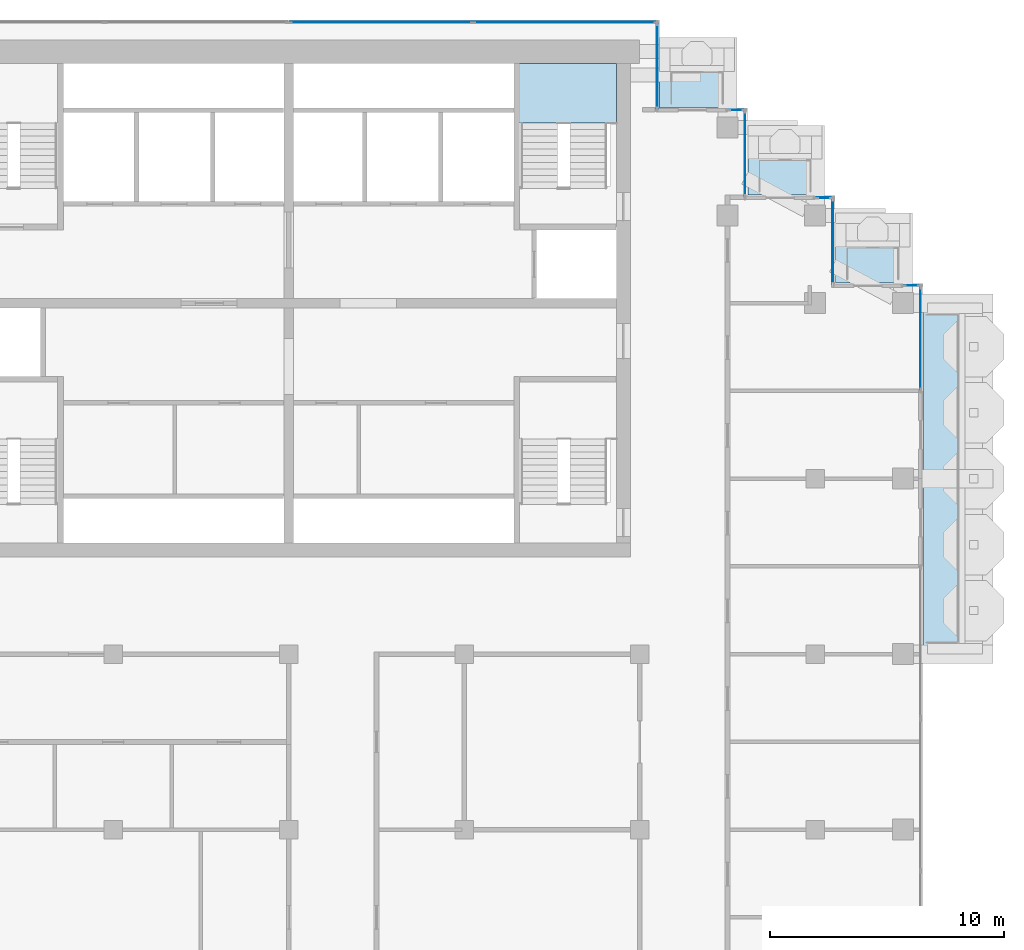
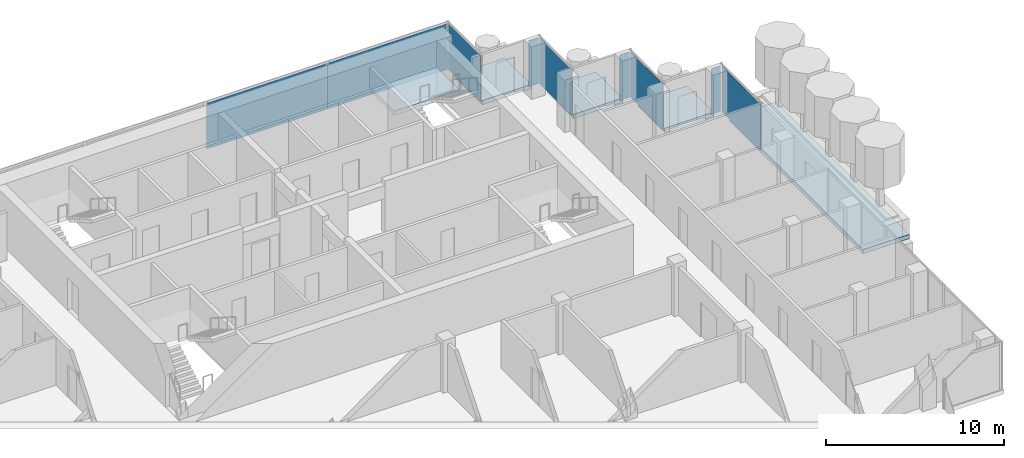
# One storey, part 10 of 19: 9 plates, 5 slabs, 9 elements without a shape of their own.
"""IFC4 building model written with IfcOpenShell, lengths in metres."""

from ifc_helpers import new_model, si_unit, direction, frame, origin, origin_2d, place, context, subcontext, project, spatial, polyline, rectangle, outline, extrude, material, layer, layer_set, type_object, element, aggregate, save


model = new_model("IFC4")

# Units and contexts
model_context = context("Model", 3, precision=1e-05, world=origin(), true_north=direction((0.0, 1.0)))
body_context = subcontext(model_context, "Body", "Model", "MODEL_VIEW")
ifc_project = project(units=[si_unit("LENGTHUNIT", "METRE"), si_unit("AREAUNIT", "SQUARE_METRE"), si_unit("VOLUMEUNIT", "CUBIC_METRE"), si_unit("PLANEANGLEUNIT", "RADIAN"), si_unit("MASSUNIT", "GRAM", prefix="KILO")], contexts=[model_context])

# Site, building, storey
site_placement = place(None, origin())
site = spatial("IfcSite", under=ifc_project, at=site_placement, CompositionType="ELEMENT")
building_placement = place(site_placement, origin())
building = spatial("IfcBuilding", under=site, at=building_placement, Name="Pilkhan Gate Tower", CompositionType="ELEMENT")
storey_placement = place(building_placement, frame((0.0, 0.0, 246.300048828125)))
storey = spatial("IfcBuildingStorey", under=building, at=storey_placement, Name="L64", CompositionType="ELEMENT", Elevation=246.300048828125)

# Slabs
ifc_material_1 = material(Name="Concrete C60/75", Category="concrete")
ifc_layer_1 = layer(ifc_material_1, 0.300048828125)
ifc_layer_set_1 = layer_set([ifc_layer_1], Name="Balcony tray slab TR300")
slab_type_1 = type_object("IfcSlabType", Name="Balcony tray slab TR300", PredefinedType="FLOOR", material=ifc_layer_set_1)
slab_1_placement = place(storey_placement, frame((0.0, 0.0, -0.300048828125)))
element("IfcSlab", 1, at=slab_1_placement, inside=storey, type_object=slab_type_1, Name="Balcony tray L64 E", PredefinedType="FLOOR", context=body_context, shape_type="SweptSolid", body=[
    extrude(outline(polyline([(105.10009765625, 67.5), (105.10009765625, 82.5), (102.10009765625, 82.5), (102.10009765625, 67.5), (105.10009765625, 67.5)])), origin(), (0.0, 0.0, 1.0), 0.300048828125),
])
slab_2_placement = place(storey_placement, frame((0.0, 0.0, -0.300048828125)))
element("IfcSlab", 2, at=slab_2_placement, inside=storey, type_object=slab_type_1, Name="Balcony tray L64 N", PredefinedType="FLOOR", context=body_context, shape_type="SweptSolid", body=[
    extrude(outline(polyline([(94.050048828125, 90.85009765625), (94.050048828125, 93.85009765625), (90.85009765625, 93.85009765625), (90.85009765625, 90.85009765625), (94.050048828125, 90.85009765625)])), origin(), (0.0, 0.0, 1.0), 0.300048828125),
])
slab_3_placement = place(storey_placement, frame((0.0, 0.0, -0.300048828125)))
element("IfcSlab", 3, at=slab_3_placement, inside=storey, type_object=slab_type_1, Name="Balcony tray L64 N", PredefinedType="FLOOR", context=body_context, shape_type="SweptSolid", body=[
    extrude(outline(polyline([(97.800048828125, 87.1201171875), (97.800048828125, 90.10009765625), (94.6201171875, 90.10009765625), (94.6201171875, 87.1201171875), (97.800048828125, 87.1201171875)])), origin(), (0.0, 0.0, 1.0), 0.300048828125),
])
slab_4_placement = place(storey_placement, frame((0.0, 0.0, -0.300048828125)))
element("IfcSlab", 4, at=slab_4_placement, inside=storey, type_object=slab_type_1, Name="Balcony tray L64 N", PredefinedType="FLOOR", context=body_context, shape_type="SweptSolid", body=[
    extrude(outline(polyline([(101.550048828125, 83.3701171875), (101.550048828125, 86.35009765625), (98.3701171875, 86.35009765625), (98.3701171875, 83.3701171875), (101.550048828125, 83.3701171875)])), origin(), (0.0, 0.0, 1.0), 0.300048828125),
])

# Curtain wall, plate
ifc_material_2 = material(Name="Pale anodised aluminium, clear low-iron double glazing", Category="aluminium")
curtain_wall_type = type_object("IfcCurtainWallType", Name="Office unitised curtain wall CW-O2", PredefinedType="USERDEFINED", material=ifc_material_2)
curtain_wall_1_placement = place(storey_placement, origin())
curtain_wall_1 = element("IfcCurtainWall", 5, at=curtain_wall_1_placement, inside=storey, type_object=curtain_wall_type, Name="Office unitised curtain wall CW-O2 L64 E", ObjectType="UNITISED CURTAIN WALL", PredefinedType="USERDEFINED")
ifc_material_3 = material(Name="Clear low-iron double glazing", Category="glass")
ifc_layer_2 = layer(ifc_material_3, 0.031982421875)
ifc_layer_set_2 = layer_set([ifc_layer_2], Name="Glass panel CW-O2 32")
plate_type = type_object("IfcPlateType", Name="Glass panel CW-O2 32", PredefinedType="CURTAIN_PANEL", material=ifc_layer_set_2)
plate_1_placement = place(storey_placement, frame((102.0, 81.0, 0.0), z_axis=(0.0, 0.0, 1.0), x_axis=(0.0, 1.0, 0.0)))
plate_1 = element("IfcPlate", 6, at=plate_1_placement, type_object=plate_type, Name="CW-O2 panel 1", PredefinedType="CURTAIN_PANEL", context=body_context, shape_type="SweptSolid", body=[
    extrude(rectangle(XDim=4.3701171875, YDim=0.031982421875, at=origin_2d()), origin(), (0.0, 0.0, 1.0), 3.135009765625),
])
aggregate(curtain_wall_1, [plate_1])

curtain_wall_2_placement = place(storey_placement, origin())
curtain_wall_2 = element("IfcCurtainWall", 7, at=curtain_wall_2_placement, inside=storey, type_object=curtain_wall_type, Name="Office unitised curtain wall CW-O2 L64 N", ObjectType="UNITISED CURTAIN WALL", PredefinedType="USERDEFINED")
plate_2_placement = place(storey_placement, frame((101.625, 83.25, 0.0), z_axis=(0.0, 0.0, 1.0), x_axis=(1.0, 0.0, 0.0)))
plate_2 = element("IfcPlate", 8, at=plate_2_placement, type_object=plate_type, Name="CW-O2 panel 1", PredefinedType="CURTAIN_PANEL", context=body_context, shape_type="SweptSolid", body=[
    extrude(rectangle(XDim=0.6201171875, YDim=0.031982421875, at=origin_2d()), origin(), (0.0, 0.0, 1.0), 3.135009765625),
])
aggregate(curtain_wall_2, [plate_2])

curtain_wall_3_placement = place(storey_placement, origin())
curtain_wall_3 = element("IfcCurtainWall", 9, at=curtain_wall_3_placement, inside=storey, type_object=curtain_wall_type, Name="Office unitised curtain wall CW-O2 L64 E", ObjectType="UNITISED CURTAIN WALL", PredefinedType="USERDEFINED")
plate_3_placement = place(storey_placement, frame((98.25, 85.125, 0.0), z_axis=(0.0, 0.0, 1.0), x_axis=(0.0, 1.0, 0.0)))
plate_3 = element("IfcPlate", 10, at=plate_3_placement, type_object=plate_type, Name="CW-O2 panel 1", PredefinedType="CURTAIN_PANEL", context=body_context, shape_type="SweptSolid", body=[
    extrude(rectangle(XDim=3.6201171875, YDim=0.031982421875, at=origin_2d()), origin(), (0.0, 0.0, 1.0), 3.135009765625),
])
aggregate(curtain_wall_3, [plate_3])

curtain_wall_4_placement = place(storey_placement, origin())
curtain_wall_4 = element("IfcCurtainWall", 11, at=curtain_wall_4_placement, inside=storey, type_object=curtain_wall_type, Name="Office unitised curtain wall CW-O2 L64 N", ObjectType="UNITISED CURTAIN WALL", PredefinedType="USERDEFINED")
plate_4_placement = place(storey_placement, frame((97.875, 87.0, 0.0), z_axis=(0.0, 0.0, 1.0), x_axis=(1.0, 0.0, 0.0)))
plate_4 = element("IfcPlate", 12, at=plate_4_placement, type_object=plate_type, Name="CW-O2 panel 1", PredefinedType="CURTAIN_PANEL", context=body_context, shape_type="SweptSolid", body=[
    extrude(rectangle(XDim=0.6201171875, YDim=0.031982421875, at=origin_2d()), origin(), (0.0, 0.0, 1.0), 3.135009765625),
])
aggregate(curtain_wall_4, [plate_4])

curtain_wall_5_placement = place(storey_placement, origin())
curtain_wall_5 = element("IfcCurtainWall", 13, at=curtain_wall_5_placement, inside=storey, type_object=curtain_wall_type, Name="Office unitised curtain wall CW-O2 L64 E", ObjectType="UNITISED CURTAIN WALL", PredefinedType="USERDEFINED")
plate_5_placement = place(storey_placement, frame((94.5, 88.875, 0.0), z_axis=(0.0, 0.0, 1.0), x_axis=(0.0, 1.0, 0.0)))
plate_5 = element("IfcPlate", 14, at=plate_5_placement, type_object=plate_type, Name="CW-O2 panel 1", PredefinedType="CURTAIN_PANEL", context=body_context, shape_type="SweptSolid", body=[
    extrude(rectangle(XDim=3.6201171875, YDim=0.031982421875, at=origin_2d()), origin(), (0.0, 0.0, 1.0), 3.135009765625),
])
aggregate(curtain_wall_5, [plate_5])

curtain_wall_6_placement = place(storey_placement, origin())
curtain_wall_6 = element("IfcCurtainWall", 15, at=curtain_wall_6_placement, inside=storey, type_object=curtain_wall_type, Name="Office unitised curtain wall CW-O2 L64 N", ObjectType="UNITISED CURTAIN WALL", PredefinedType="USERDEFINED")
plate_6_placement = place(storey_placement, frame((94.125, 90.75, 0.0), z_axis=(0.0, 0.0, 1.0), x_axis=(1.0, 0.0, 0.0)))
plate_6 = element("IfcPlate", 16, at=plate_6_placement, type_object=plate_type, Name="CW-O2 panel 1", PredefinedType="CURTAIN_PANEL", context=body_context, shape_type="SweptSolid", body=[
    extrude(rectangle(XDim=0.6201171875, YDim=0.031982421875, at=origin_2d()), origin(), (0.0, 0.0, 1.0), 3.135009765625),
])
aggregate(curtain_wall_6, [plate_6])

curtain_wall_7_placement = place(storey_placement, origin())
curtain_wall_7 = element("IfcCurtainWall", 17, at=curtain_wall_7_placement, inside=storey, type_object=curtain_wall_type, Name="Office unitised curtain wall CW-O2 L64 E", ObjectType="UNITISED CURTAIN WALL", PredefinedType="USERDEFINED")
plate_7_placement = place(storey_placement, frame((90.75, 92.625, 0.0), z_axis=(0.0, 0.0, 1.0), x_axis=(0.0, 1.0, 0.0)))
plate_7 = element("IfcPlate", 18, at=plate_7_placement, type_object=plate_type, Name="CW-O2 panel 1", PredefinedType="CURTAIN_PANEL", context=body_context, shape_type="SweptSolid", body=[
    extrude(rectangle(XDim=3.6201171875, YDim=0.031982421875, at=origin_2d()), origin(), (0.0, 0.0, 1.0), 3.135009765625),
])
aggregate(curtain_wall_7, [plate_7])

# Curtain wall, plates
curtain_wall_8_placement = place(storey_placement, origin())
curtain_wall_8 = element("IfcCurtainWall", 19, at=curtain_wall_8_placement, inside=storey, type_object=curtain_wall_type, Name="Office unitised curtain wall CW-O2 L64 N", ObjectType="UNITISED CURTAIN WALL", PredefinedType="USERDEFINED")
plate_8_placement = place(storey_placement, frame((78.953857421875, 94.5, 0.0), z_axis=(0.0, 0.0, 1.0), x_axis=(1.0, 0.0, 0.0)))
plate_8 = element("IfcPlate", 20, at=plate_8_placement, type_object=plate_type, Name="CW-O2 panel 1", PredefinedType="CURTAIN_PANEL", context=body_context, shape_type="SweptSolid", body=[
    extrude(rectangle(XDim=7.777587890625, YDim=0.031982421875, at=origin_2d()), origin(), (0.0, 0.0, 1.0), 3.135009765625),
])
plate_9_placement = place(storey_placement, frame((86.796142578125, 94.5, 0.0), z_axis=(0.0, 0.0, 1.0), x_axis=(1.0, 0.0, 0.0)))
plate_9 = element("IfcPlate", 21, at=plate_9_placement, type_object=plate_type, Name="CW-O2 panel 2", PredefinedType="CURTAIN_PANEL", context=body_context, shape_type="SweptSolid", body=[
    extrude(rectangle(XDim=7.777587890625, YDim=0.031982421875, at=origin_2d()), origin(), (0.0, 0.0, 1.0), 3.135009765625),
])
aggregate(curtain_wall_8, [plate_8, plate_9])

# Stair, slab
ifc_material_4 = material(Name="Concrete C40/50 precast", Category="concrete")
stair_type = type_object("IfcStairType", Name="Stair ST4 164x280", PredefinedType="HALF_TURN_STAIR", material=ifc_material_4)
stair_placement = place(storey_placement, origin())
stair = element("IfcStair", 22, at=stair_placement, inside=storey, type_object=stair_type, Name="Stair ST4 L64", PredefinedType="HALF_TURN_STAIR")
ifc_material_5 = material(Name="Concrete C40/50", Category="concrete")
ifc_layer_3 = layer(ifc_material_5, 0.199951171875)
ifc_layer_set_3 = layer_set([ifc_layer_3], Name="Stair landing SL200")
slab_type_2 = type_object("IfcSlabType", Name="Stair landing SL200", PredefinedType="LANDING", material=ifc_layer_set_3)
slab_5_placement = place(storey_placement, frame((0.0, 0.0, 1.5)))
slab_5 = element("IfcSlab", 23, at=slab_5_placement, type_object=slab_type_2, Name="ST4 landing 1", PredefinedType="LANDING", context=body_context, shape_type="SweptSolid", body=[
    extrude(outline(polyline([(89.0, 90.199951171875), (89.0, 92.75), (84.75, 92.75), (84.75, 90.199951171875), (89.0, 90.199951171875)])), origin(), (0.0, 0.0, 1.0), 0.300048828125),
])
aggregate(stair, [slab_5])

save(model, "model.ifc")
